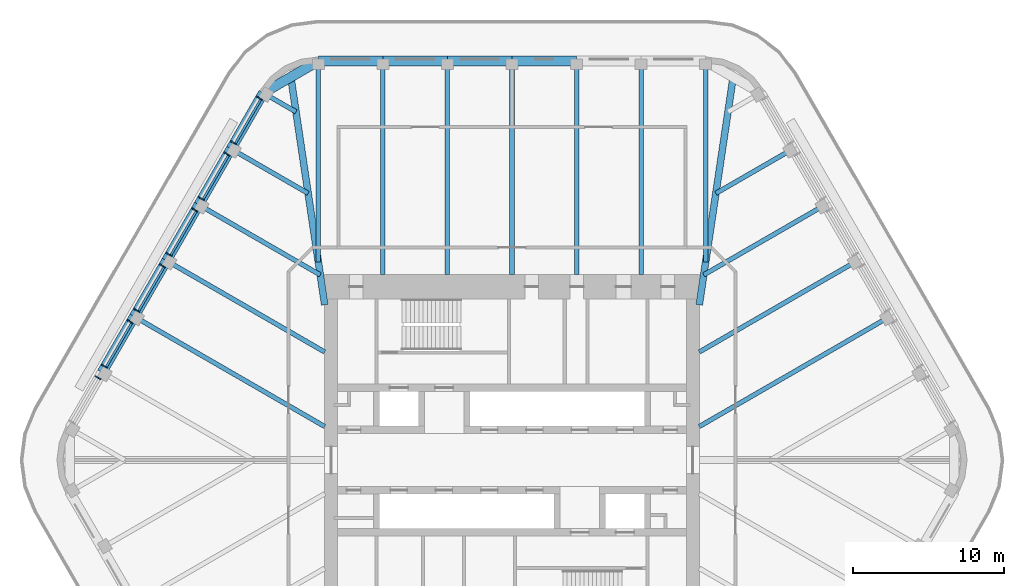
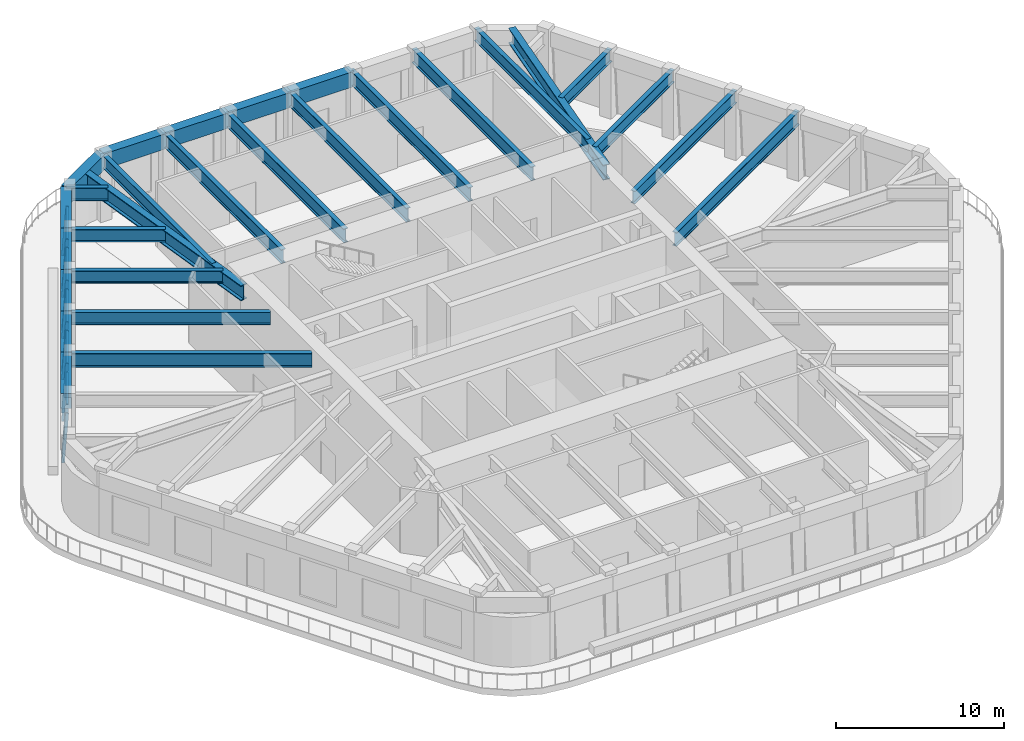
# One storey, part 4 of 13: 28 beams, 16 members, 6 elements without a shape of their own.
"""IFC4 building model written with IfcOpenShell, lengths in metres."""

from ifc_helpers import new_model, si_unit, direction, frame, origin, origin_2d, place, context, subcontext, project, spatial, rectangle, i_section, extrude, material, material_profile, profile_set, type_object, element, aggregate, save


model = new_model("IFC4")

# Units and contexts
model_context = context("Model", 3, precision=1e-05, world=origin(), true_north=direction((0.0, 1.0)))
body_context = subcontext(model_context, "Body", "Model", "MODEL_VIEW")
ifc_project = project(units=[si_unit("LENGTHUNIT", "METRE"), si_unit("AREAUNIT", "SQUARE_METRE"), si_unit("VOLUMEUNIT", "CUBIC_METRE"), si_unit("PLANEANGLEUNIT", "RADIAN"), si_unit("MASSUNIT", "GRAM", prefix="KILO")], contexts=[model_context])

# Site, building, storey
site_placement = place(None, origin())
site = spatial("IfcSite", under=ifc_project, at=site_placement, CompositionType="ELEMENT")
building_placement = place(site_placement, origin())
building = spatial("IfcBuilding", under=site, at=building_placement, Name="Tarfa Lantern Tower", CompositionType="ELEMENT")
storey_placement = place(building_placement, frame((0.0, 0.0, 391.300048828125)))
storey = spatial("IfcBuildingStorey", under=building, at=storey_placement, Name="L89", CompositionType="ELEMENT", Elevation=391.300048828125)

# Curtain wall, members
ifc_material_1 = material(Name="Aluminium framed curtain wall", Category="aluminium")
curtain_wall_type = type_object("IfcCurtainWallType", Name="CW5 CANTED GLAZING SKY LOBBY 3600", PredefinedType="USERDEFINED", material=ifc_material_1)
curtain_wall_1_placement = place(storey_placement, origin())
curtain_wall_1 = element("IfcCurtainWall", 1, at=curtain_wall_1_placement, inside=storey, type_object=curtain_wall_type, Name="CW5 NW L89", ObjectType="CURTAIN WALL", PredefinedType="USERDEFINED")
ifc_material_2 = material(Name="Aluminium mullion", Category="aluminium")
ifc_material_profile_1 = material_profile(ifc_material_2, rectangle(XDim=0.06494140625, YDim=0.199951171875, at=origin_2d()), Name="AL MULLION 65x200")
ifc_profile_set_1 = profile_set([ifc_material_profile_1], Name="Aluminium mullion")
member_type_1 = type_object("IfcMemberType", Name="CWM1 MULLION 65x200", PredefinedType="MULLION", material=ifc_profile_set_1)
member_1_placement = place(storey_placement, frame((-16.872802734375, 24.075439453125, 0.0), z_axis=(0.060011397565, -0.03464017537, 0.997596456696), x_axis=(0.499919672301, 0.866071776036, 0.0)))
member_1 = element("IfcMember", 2, at=member_1_placement, type_object=member_type_1, Name="CW5 mullion 1", PredefinedType="MULLION", context=body_context, shape_type="SweptSolid", body=[
    extrude(rectangle(XDim=0.06494140625, YDim=0.199951171875, at=origin_2d()), origin(), (0.0, 0.0, 1.0), 3.608642578125),
])
member_2_placement = place(storey_placement, frame((-18.581298828125, 21.1162109375, 0.0), z_axis=(0.060011397565, -0.03464017537, 0.997596456696), x_axis=(0.499919672301, 0.866071776036, 0.0)))
member_2 = element("IfcMember", 3, at=member_2_placement, type_object=member_type_1, Name="CW5 mullion 2", PredefinedType="MULLION", context=body_context, shape_type="SweptSolid", body=[
    extrude(rectangle(XDim=0.06494140625, YDim=0.199951171875, at=origin_2d()), origin(), (0.0, 0.0, 1.0), 3.608642578125),
])

curtain_wall_2_placement = place(storey_placement, origin())
curtain_wall_2 = element("IfcCurtainWall", 4, at=curtain_wall_2_placement, inside=storey, type_object=curtain_wall_type, Name="CW5 NW L89", ObjectType="CURTAIN WALL", PredefinedType="USERDEFINED")
member_3_placement = place(storey_placement, frame((-19.013916015625, 20.3671875, 0.0), z_axis=(0.060011397565, -0.03464017537, 0.997596456696), x_axis=(0.499919672301, 0.866071776036, 0.0)))
member_3 = element("IfcMember", 5, at=member_3_placement, type_object=member_type_1, Name="CW5 mullion 1", PredefinedType="MULLION", context=body_context, shape_type="SweptSolid", body=[
    extrude(rectangle(XDim=0.06494140625, YDim=0.199951171875, at=origin_2d()), origin(), (0.0, 0.0, 1.0), 3.608642578125),
])
member_4_placement = place(storey_placement, frame((-20.722412109375, 17.407958984375, 0.0), z_axis=(0.060011397565, -0.03464017537, 0.997596456696), x_axis=(0.499919672301, 0.866071776036, 0.0)))
member_4 = element("IfcMember", 6, at=member_4_placement, type_object=member_type_1, Name="CW5 mullion 2", PredefinedType="MULLION", context=body_context, shape_type="SweptSolid", body=[
    extrude(rectangle(XDim=0.06494140625, YDim=0.199951171875, at=origin_2d()), origin(), (0.0, 0.0, 1.0), 3.608642578125),
])

curtain_wall_3_placement = place(storey_placement, origin())
curtain_wall_3 = element("IfcCurtainWall", 7, at=curtain_wall_3_placement, inside=storey, type_object=curtain_wall_type, Name="CW5 NW L89", ObjectType="CURTAIN WALL", PredefinedType="USERDEFINED")
member_5_placement = place(storey_placement, frame((-21.15478515625, 16.65869140625, 0.0), z_axis=(0.060011397565, -0.03464017537, 0.997596456696), x_axis=(0.499919672301, 0.866071776036, 0.0)))
member_5 = element("IfcMember", 8, at=member_5_placement, type_object=member_type_1, Name="CW5 mullion 1", PredefinedType="MULLION", context=body_context, shape_type="SweptSolid", body=[
    extrude(rectangle(XDim=0.06494140625, YDim=0.199951171875, at=origin_2d()), origin(), (0.0, 0.0, 1.0), 3.608642578125),
])
member_6_placement = place(storey_placement, frame((-22.86328125, 13.699462890625, 0.0), z_axis=(0.060011397565, -0.03464017537, 0.997596456696), x_axis=(0.499919672301, 0.866071776036, 0.0)))
member_6 = element("IfcMember", 9, at=member_6_placement, type_object=member_type_1, Name="CW5 mullion 2", PredefinedType="MULLION", context=body_context, shape_type="SweptSolid", body=[
    extrude(rectangle(XDim=0.06494140625, YDim=0.199951171875, at=origin_2d()), origin(), (0.0, 0.0, 1.0), 3.608642578125),
])

curtain_wall_4_placement = place(storey_placement, origin())
curtain_wall_4 = element("IfcCurtainWall", 10, at=curtain_wall_4_placement, inside=storey, type_object=curtain_wall_type, Name="CW5 NW L89", ObjectType="CURTAIN WALL", PredefinedType="USERDEFINED")
member_7_placement = place(storey_placement, frame((-23.2958984375, 12.950439453125, 0.0), z_axis=(0.060011397565, -0.03464017537, 0.997596456696), x_axis=(0.499919672301, 0.866071776036, 0.0)))
member_7 = element("IfcMember", 11, at=member_7_placement, type_object=member_type_1, Name="CW5 mullion 1", PredefinedType="MULLION", context=body_context, shape_type="SweptSolid", body=[
    extrude(rectangle(XDim=0.06494140625, YDim=0.199951171875, at=origin_2d()), origin(), (0.0, 0.0, 1.0), 3.608642578125),
])
member_8_placement = place(storey_placement, frame((-25.00439453125, 9.9912109375, 0.0), z_axis=(0.060011397565, -0.03464017537, 0.997596456696), x_axis=(0.499919672301, 0.866071776036, 0.0)))
member_8 = element("IfcMember", 12, at=member_8_placement, type_object=member_type_1, Name="CW5 mullion 2", PredefinedType="MULLION", context=body_context, shape_type="SweptSolid", body=[
    extrude(rectangle(XDim=0.06494140625, YDim=0.199951171875, at=origin_2d()), origin(), (0.0, 0.0, 1.0), 3.608642578125),
])

curtain_wall_5_placement = place(storey_placement, origin())
curtain_wall_5 = element("IfcCurtainWall", 13, at=curtain_wall_5_placement, inside=storey, type_object=curtain_wall_type, Name="CW5 NW L89", ObjectType="CURTAIN WALL", PredefinedType="USERDEFINED")
member_9_placement = place(storey_placement, frame((-25.436767578125, 9.2421875, 0.0), z_axis=(0.060011397565, -0.03464017537, 0.997596456696), x_axis=(0.499919672301, 0.866071776036, 0.0)))
member_9 = element("IfcMember", 14, at=member_9_placement, type_object=member_type_1, Name="CW5 mullion 1", PredefinedType="MULLION", context=body_context, shape_type="SweptSolid", body=[
    extrude(rectangle(XDim=0.06494140625, YDim=0.199951171875, at=origin_2d()), origin(), (0.0, 0.0, 1.0), 3.608642578125),
])
member_10_placement = place(storey_placement, frame((-27.145263671875, 6.282958984375, 0.0), z_axis=(0.059943984218, -0.034640315936, 0.997600504845), x_axis=(0.500342721131, 0.865827443207, 0.0)))
member_10 = element("IfcMember", 15, at=member_10_placement, type_object=member_type_1, Name="CW5 mullion 2", PredefinedType="MULLION", context=body_context, shape_type="SweptSolid", body=[
    extrude(rectangle(XDim=0.06494140625, YDim=0.199951171875, at=origin_2d()), origin(), (0.0, 0.0, 1.0), 3.6083984375),
])

# Curtain wall, member
curtain_wall_6_placement = place(storey_placement, origin())
curtain_wall_6 = element("IfcCurtainWall", 16, at=curtain_wall_6_placement, inside=storey, type_object=curtain_wall_type, Name="CW5 NW L89", ObjectType="CURTAIN WALL", PredefinedType="USERDEFINED")
member_11_placement = place(storey_placement, frame((-27.577880859375, 5.53369140625, 0.0), z_axis=(0.060011397565, -0.03464017537, 0.997596456696), x_axis=(0.499919672301, 0.866071776036, 0.0)))
member_11 = element("IfcMember", 17, at=member_11_placement, type_object=member_type_1, Name="CW5 mullion 1", PredefinedType="MULLION", context=body_context, shape_type="SweptSolid", body=[
    extrude(rectangle(XDim=0.06494140625, YDim=0.199951171875, at=origin_2d()), origin(), (0.0, 0.0, 1.0), 3.608642578125),
])
aggregate(curtain_wall_6, [member_11])

# Member
ifc_material_3 = material(Name="Aluminium transom", Category="aluminium")
ifc_material_profile_2 = material_profile(ifc_material_3, rectangle(XDim=0.14990234375, YDim=0.06494140625, at=origin_2d()), Name="AL TRANSOM 150x65")
ifc_profile_set_2 = profile_set([ifc_material_profile_2], Name="Aluminium transom")
member_type_2 = type_object("IfcMemberType", Name="CWT1 TRANSOM 150x65", PredefinedType="USERDEFINED", material=ifc_profile_set_2)
member_12_placement = place(storey_placement, frame((-16.674560546875, 23.92333984375, 3.5673828125), z_axis=(-0.500016677412, -0.866015774862, 0.0), x_axis=(0.866015774862, -0.500016677412, 0.0)))
member_12 = element("IfcMember", 18, at=member_12_placement, type_object=member_type_2, Name="CW5 transom 1.2", ObjectType="TRANSOM", PredefinedType="USERDEFINED", context=body_context, shape_type="SweptSolid", body=[
    extrude(rectangle(XDim=0.14990234375, YDim=0.06494140625, at=origin_2d()), origin(), (0.0, 0.0, 1.0), 3.35205078125),
])

aggregate(curtain_wall_1, [member_1, member_2, member_12])

member_13_placement = place(storey_placement, frame((-18.8154296875, 20.215087890625, 3.5673828125), z_axis=(-0.500016677412, -0.866015774862, 0.0), x_axis=(0.866015774862, -0.500016677412, 0.0)))
member_13 = element("IfcMember", 19, at=member_13_placement, type_object=member_type_2, Name="CW5 transom 1.2", ObjectType="TRANSOM", PredefinedType="USERDEFINED", context=body_context, shape_type="SweptSolid", body=[
    extrude(rectangle(XDim=0.14990234375, YDim=0.06494140625, at=origin_2d()), origin(), (0.0, 0.0, 1.0), 3.35205078125),
])

aggregate(curtain_wall_2, [member_3, member_4, member_13])

member_14_placement = place(storey_placement, frame((-20.95654296875, 16.5068359375, 3.5673828125), z_axis=(-0.499985139611, -0.866033983264, 0.0), x_axis=(0.866033983264, -0.499985139611, 0.0)))
member_14 = element("IfcMember", 20, at=member_14_placement, type_object=member_type_2, Name="CW5 transom 1.2", ObjectType="TRANSOM", PredefinedType="USERDEFINED", context=body_context, shape_type="SweptSolid", body=[
    extrude(rectangle(XDim=0.14990234375, YDim=0.06494140625, at=origin_2d()), origin(), (0.0, 0.0, 1.0), 3.35205078125),
])

aggregate(curtain_wall_3, [member_5, member_6, member_14])

member_15_placement = place(storey_placement, frame((-23.097412109375, 12.79833984375, 3.5673828125), z_axis=(-0.500016677412, -0.866015774862, 0.0), x_axis=(0.866015774862, -0.500016677412, 0.0)))
member_15 = element("IfcMember", 21, at=member_15_placement, type_object=member_type_2, Name="CW5 transom 1.2", ObjectType="TRANSOM", PredefinedType="USERDEFINED", context=body_context, shape_type="SweptSolid", body=[
    extrude(rectangle(XDim=0.14990234375, YDim=0.06494140625, at=origin_2d()), origin(), (0.0, 0.0, 1.0), 3.35205078125),
])

aggregate(curtain_wall_4, [member_7, member_8, member_15])

member_16_placement = place(storey_placement, frame((-25.238525390625, 9.090087890625, 3.5673828125), z_axis=(-0.500016677412, -0.866015774862, 0.0), x_axis=(0.866015774862, -0.500016677412, 0.0)))
member_16 = element("IfcMember", 22, at=member_16_placement, type_object=member_type_2, Name="CW5 transom 1.2", ObjectType="TRANSOM", PredefinedType="USERDEFINED", context=body_context, shape_type="SweptSolid", body=[
    extrude(rectangle(XDim=0.14990234375, YDim=0.06494140625, at=origin_2d()), origin(), (0.0, 0.0, 1.0), 3.35205078125),
])

aggregate(curtain_wall_5, [member_9, member_10, member_16])

# Beams
ifc_material_4 = material(Name="Concrete C80/95", Category="concrete")
ifc_material_profile_3 = material_profile(ifc_material_4, rectangle(XDim=0.64990234375, YDim=1.10009765625, at=origin_2d()), Name="RC 650x1100")
ifc_profile_set_3 = profile_set([ifc_material_profile_3], Name="Concrete C80/95")
beam_type_1 = type_object("IfcBeamType", Name="EB4 RC 650x1100", PredefinedType="SPANDREL", material=ifc_profile_set_3)
for number, where, z_axis, x_axis, name in (
    (23, (4.281982421875, 26.469970703125, 4.14990234375), (-1.0, 0.0, 0.0), (0.0, -1.0, 0.0), "Edge beam N2"),
    (24, (0.0, 26.469970703125, 4.14990234375), (-1.0, 0.0, 0.0), (0.0, -1.0, 0.0), "Edge beam N3"),
    (25, (-4.281982421875, 26.469970703125, 4.14990234375), (-1.0, 0.0, 0.0), (0.0, -1.0, 0.0), "Edge beam N4"),
    (26, (-8.56396484375, 26.469970703125, 4.14990234375), (-1.0, 0.0, 0.0), (0.0, -1.0, 0.0), "Edge beam N5"),
):
    element("IfcBeam", number, at=place(storey_placement, frame(where, z_axis=z_axis, x_axis=x_axis)), inside=storey, type_object=beam_type_1, Name=name, PredefinedType="SPANDREL", context=body_context, shape_type="SweptSolid", body=[
        extrude(rectangle(XDim=0.64990234375, YDim=1.10009765625, at=origin_2d()), origin(), (0.0, 0.0, 1.0), 4.281982421875),
    ])
beam_1_placement = place(storey_placement, frame((-12.845947265625, 26.469970703125, 4.14990234375), z_axis=(-0.866048788483, -0.499959494327, 0.0), x_axis=(0.499959494327, -0.866048788483, 0.0)))
element("IfcBeam", 27, at=beam_1_placement, inside=storey, type_object=beam_type_1, Name="Edge beam N6", PredefinedType="SPANDREL", context=body_context, shape_type="SweptSolid", body=[
    extrude(rectangle(XDim=0.64990234375, YDim=1.10009765625, at=origin_2d()), origin(), (0.0, 0.0, 1.0), 4.219970703125),
])
for number, where, z_axis, x_axis, name in (
    (28, (-16.500732421875, 24.360107421875, 4.14990234375), (-0.499959351497, -0.866048870937, 0.0), (0.866048870937, -0.499959351497, 0.0), "Edge beam NW0"),
    (29, (-18.6416015625, 20.651611328125, 4.14990234375), (-0.500026801138, -0.866009929587, 0.0), (0.866009929587, -0.500026801138, 0.0), "Edge beam NW1"),
    (30, (-20.78271484375, 16.943359375, 4.14990234375), (-0.499984039138, -0.866034618596, 0.0), (0.866034618596, -0.499984039138, 0.0), "Edge beam NW2"),
):
    element("IfcBeam", number, at=place(storey_placement, frame(where, z_axis=z_axis, x_axis=x_axis)), inside=storey, type_object=beam_type_1, Name=name, PredefinedType="SPANDREL", context=body_context, shape_type="SweptSolid", body=[
        extrude(rectangle(XDim=0.64990234375, YDim=1.10009765625, at=origin_2d()), origin(), (0.0, 0.0, 1.0), 4.281982421875),
    ])
beam_2_placement = place(storey_placement, frame((-22.923583984375, 13.235107421875, 4.14990234375), z_axis=(-0.500002112793, -0.866024183959, 0.0), x_axis=(0.866024183959, -0.500002112793, 0.0)))
element("IfcBeam", 31, at=beam_2_placement, inside=storey, type_object=beam_type_1, Name="Edge beam NW3", PredefinedType="SPANDREL", context=body_context, shape_type="SweptSolid", body=[
    extrude(rectangle(XDim=0.64990234375, YDim=1.10009765625, at=origin_2d()), origin(), (0.0, 0.0, 1.0), 4.2822265625),
])
beam_3_placement = place(storey_placement, frame((-25.064697265625, 9.526611328125, 4.14990234375), z_axis=(-0.500026801138, -0.866009929587, 0.0), x_axis=(0.866009929587, -0.500026801138, 0.0)))
element("IfcBeam", 32, at=beam_3_placement, inside=storey, type_object=beam_type_1, Name="Edge beam NW4", PredefinedType="SPANDREL", context=body_context, shape_type="SweptSolid", body=[
    extrude(rectangle(XDim=0.64990234375, YDim=1.10009765625, at=origin_2d()), origin(), (0.0, 0.0, 1.0), 4.281982421875),
])
ifc_material_5 = material(Name="Steel S460M", Category="steel")
ifc_material_profile_4 = material_profile(ifc_material_5, i_section(OverallWidth=0.449951171875, OverallDepth=1.10009765625, WebThickness=0.030029296875, FlangeThickness=0.06005859375, at=origin_2d()), Name="PG1100x450x655")
ifc_profile_set_4 = profile_set([ifc_material_profile_4], Name="Steel S460M")
beam_type_2 = type_object("IfcBeamType", Name="PG1100x450x655", PredefinedType="BEAM", material=ifc_profile_set_4)
for number, where, z_axis, x_axis, name in (
    (33, (12.425048828125, 10.300048828125, 4.14990234375), (0.147127069073, 0.989117599452, 0.0), (-0.989117599452, 0.147127069073, 0.0), "Hip girder NE"),
    (34, (-12.425048828125, 10.300048828125, 4.14990234375), (-0.147127069073, 0.989117599452, 0.0), (-0.989117599452, -0.147127069073, 0.0), "Hip girder NW"),
):
    element("IfcBeam", number, at=place(storey_placement, frame(where, z_axis=z_axis, x_axis=x_axis)), inside=storey, type_object=beam_type_2, Name=name, PredefinedType="BEAM", context=body_context, shape_type="SweptSolid", body=[
        extrude(i_section(OverallWidth=0.449951171875, OverallDepth=1.10009765625, WebThickness=0.030029296875, FlangeThickness=0.06005859375, at=origin_2d()), origin(), (0.0, 0.0, 1.0), 15.28125),
    ])
ifc_material_profile_5 = material_profile(ifc_material_5, i_section(OverallWidth=0.302001953125, OverallDepth=1.008056640625, WebThickness=0.02099609375, FlangeThickness=0.0400390625, FilletRadius=0.030029296875, at=origin_2d()), Name="UB1016x305x349")
ifc_profile_set_5 = profile_set([ifc_material_profile_5], Name="Steel S460M")
beam_type_3 = type_object("IfcBeamType", Name="UB1016x305x349", PredefinedType="BEAM", material=ifc_profile_set_5)
beam_4_placement = place(storey_placement, frame((25.064697265625, 9.526611328125, 4.19580078125), z_axis=(-0.866029591389, -0.499992746786, 0.0), x_axis=(0.499992746786, -0.866029591389, 0.0)))
element("IfcBeam", 35, at=beam_4_placement, inside=storey, type_object=beam_type_3, Name="Floor beam NE2", PredefinedType="BEAM", context=body_context, shape_type="SweptSolid", body=[
    extrude(i_section(OverallWidth=0.302001953125, OverallDepth=1.008056640625, WebThickness=0.02099609375, FlangeThickness=0.0400390625, FilletRadius=0.030029296875, at=origin_2d()), origin(), (0.0, 0.0, 1.0), 14.594970703125),
])
for number, where, z_axis, x_axis, name in (
    (36, (8.56396484375, 26.469970703125, 4.19580078125), (0.0, -1.0, 0.0), (1.0, 0.0, 0.0), "Floor beam N1"),
    (37, (4.281982421875, 26.469970703125, 4.19580078125), (0.0, -1.0, 0.0), (1.0, 0.0, 0.0), "Floor beam N2"),
    (38, (0.0, 26.469970703125, 4.19580078125), (0.0, -1.0, 0.0), (1.0, 0.0, 0.0), "Floor beam N3"),
    (39, (-4.281982421875, 26.469970703125, 4.19580078125), (0.0, -1.0, 0.0), (1.0, 0.0, 0.0), "Floor beam N4"),
    (40, (-8.56396484375, 26.469970703125, 4.19580078125), (0.0, -1.0, 0.0), (1.0, 0.0, 0.0), "Floor beam N5"),
):
    element("IfcBeam", number, at=place(storey_placement, frame(where, z_axis=z_axis, x_axis=x_axis)), inside=storey, type_object=beam_type_3, Name=name, PredefinedType="BEAM", context=body_context, shape_type="SweptSolid", body=[
        extrude(i_section(OverallWidth=0.302001953125, OverallDepth=1.008056640625, WebThickness=0.02099609375, FlangeThickness=0.0400390625, FilletRadius=0.030029296875, at=origin_2d()), origin(), (0.0, 0.0, 1.0), 14.169921875),
    ])
beam_5_placement = place(storey_placement, frame((-25.064697265625, 9.526611328125, 4.19580078125), z_axis=(0.866029591389, -0.499992746786, 0.0), x_axis=(0.499992746786, 0.866029591389, 0.0)))
element("IfcBeam", 41, at=beam_5_placement, inside=storey, type_object=beam_type_3, Name="Floor beam NW4", PredefinedType="BEAM", context=body_context, shape_type="SweptSolid", body=[
    extrude(i_section(OverallWidth=0.302001953125, OverallDepth=1.008056640625, WebThickness=0.02099609375, FlangeThickness=0.0400390625, FilletRadius=0.030029296875, at=origin_2d()), origin(), (0.0, 0.0, 1.0), 14.594970703125),
])
ifc_material_profile_6 = material_profile(ifc_material_5, i_section(OverallWidth=0.305419921875, OverallDepth=0.91845703125, WebThickness=0.017333984375, FlangeThickness=0.02783203125, FilletRadius=0.01904296875, at=origin_2d()), Name="UB914x305x253")
ifc_profile_set_6 = profile_set([ifc_material_profile_6], Name="Steel S460M")
beam_type_4 = type_object("IfcBeamType", Name="UB914x305x253", PredefinedType="BEAM", material=ifc_profile_set_6)
beam_6_placement = place(storey_placement, frame((22.923583984375, 13.235107421875, 4.24072265625), z_axis=(-0.86601856927, -0.500011837539, 0.0), x_axis=(0.500011837539, -0.86601856927, 0.0)))
element("IfcBeam", 42, at=beam_6_placement, inside=storey, type_object=beam_type_4, Name="Floor beam NE3", PredefinedType="BEAM", context=body_context, shape_type="SweptSolid", body=[
    extrude(i_section(OverallWidth=0.305419921875, OverallDepth=0.91845703125, WebThickness=0.017333984375, FlangeThickness=0.02783203125, FilletRadius=0.01904296875, at=origin_2d()), origin(), (0.0, 0.0, 1.0), 12.122802734375),
])
beam_7_placement = place(storey_placement, frame((20.78271484375, 16.943359375, 4.24072265625), z_axis=(-0.866021806508, -0.500006230613, 0.0), x_axis=(0.500006230613, -0.866021806508, 0.0)))
element("IfcBeam", 43, at=beam_7_placement, inside=storey, type_object=beam_type_4, Name="Floor beam NE4", PredefinedType="BEAM", context=body_context, shape_type="SweptSolid", body=[
    extrude(i_section(OverallWidth=0.305419921875, OverallDepth=0.91845703125, WebThickness=0.017333984375, FlangeThickness=0.02783203125, FilletRadius=0.01904296875, at=origin_2d()), origin(), (0.0, 0.0, 1.0), 9.30908203125),
])
beam_8_placement = place(storey_placement, frame((18.6416015625, 20.651611328125, 4.24072265625), z_axis=(-0.866024549157, -0.500001480256, 0.0), x_axis=(0.500001480256, -0.866024549157, 0.0)))
element("IfcBeam", 44, at=beam_8_placement, inside=storey, type_object=beam_type_4, Name="Floor beam NE5", PredefinedType="BEAM", context=body_context, shape_type="SweptSolid", body=[
    extrude(i_section(OverallWidth=0.305419921875, OverallDepth=0.91845703125, WebThickness=0.017333984375, FlangeThickness=0.02783203125, FilletRadius=0.01904296875, at=origin_2d()), origin(), (0.0, 0.0, 1.0), 5.90771484375),
])
for number, where, z_axis, x_axis, name in (
    (45, (12.845947265625, 26.469970703125, 4.24072265625), (0.0, -1.0, 0.0), (1.0, 0.0, 0.0), "Floor beam N0"),
    (46, (-12.845947265625, 26.469970703125, 4.24072265625), (0.0, -1.0, 0.0), (1.0, 0.0, 0.0), "Floor beam N6"),
):
    element("IfcBeam", number, at=place(storey_placement, frame(where, z_axis=z_axis, x_axis=x_axis)), inside=storey, type_object=beam_type_4, Name=name, PredefinedType="BEAM", context=body_context, shape_type="SweptSolid", body=[
        extrude(i_section(OverallWidth=0.305419921875, OverallDepth=0.91845703125, WebThickness=0.017333984375, FlangeThickness=0.02783203125, FilletRadius=0.01904296875, at=origin_2d()), origin(), (0.0, 0.0, 1.0), 13.33935546875),
    ])
beam_9_placement = place(storey_placement, frame((-16.500732421875, 24.360107421875, 4.24072265625), z_axis=(0.865992557167, -0.500056887695, 0.0), x_axis=(0.500056887695, 0.865992557167, 0.0)))
element("IfcBeam", 47, at=beam_9_placement, inside=storey, type_object=beam_type_4, Name="Floor beam NW0", PredefinedType="BEAM", context=body_context, shape_type="SweptSolid", body=[
    extrude(i_section(OverallWidth=0.305419921875, OverallDepth=0.91845703125, WebThickness=0.017333984375, FlangeThickness=0.02783203125, FilletRadius=0.01904296875, at=origin_2d()), origin(), (0.0, 0.0, 1.0), 2.506591796875),
])
beam_10_placement = place(storey_placement, frame((-18.6416015625, 20.651611328125, 4.24072265625), z_axis=(0.866024549157, -0.500001480256, 0.0), x_axis=(0.500001480256, 0.866024549157, 0.0)))
element("IfcBeam", 48, at=beam_10_placement, inside=storey, type_object=beam_type_4, Name="Floor beam NW1", PredefinedType="BEAM", context=body_context, shape_type="SweptSolid", body=[
    extrude(i_section(OverallWidth=0.305419921875, OverallDepth=0.91845703125, WebThickness=0.017333984375, FlangeThickness=0.02783203125, FilletRadius=0.01904296875, at=origin_2d()), origin(), (0.0, 0.0, 1.0), 5.90771484375),
])
beam_11_placement = place(storey_placement, frame((-20.78271484375, 16.943359375, 4.24072265625), z_axis=(0.866021806508, -0.500006230613, 0.0), x_axis=(0.500006230613, 0.866021806508, 0.0)))
element("IfcBeam", 49, at=beam_11_placement, inside=storey, type_object=beam_type_4, Name="Floor beam NW2", PredefinedType="BEAM", context=body_context, shape_type="SweptSolid", body=[
    extrude(i_section(OverallWidth=0.305419921875, OverallDepth=0.91845703125, WebThickness=0.017333984375, FlangeThickness=0.02783203125, FilletRadius=0.01904296875, at=origin_2d()), origin(), (0.0, 0.0, 1.0), 9.30908203125),
])
beam_12_placement = place(storey_placement, frame((-22.923583984375, 13.235107421875, 4.24072265625), z_axis=(0.86601856927, -0.500011837539, 0.0), x_axis=(0.500011837539, 0.86601856927, 0.0)))
element("IfcBeam", 50, at=beam_12_placement, inside=storey, type_object=beam_type_4, Name="Floor beam NW3", PredefinedType="BEAM", context=body_context, shape_type="SweptSolid", body=[
    extrude(i_section(OverallWidth=0.305419921875, OverallDepth=0.91845703125, WebThickness=0.017333984375, FlangeThickness=0.02783203125, FilletRadius=0.01904296875, at=origin_2d()), origin(), (0.0, 0.0, 1.0), 12.122802734375),
])

save(model, "model.ifc")
